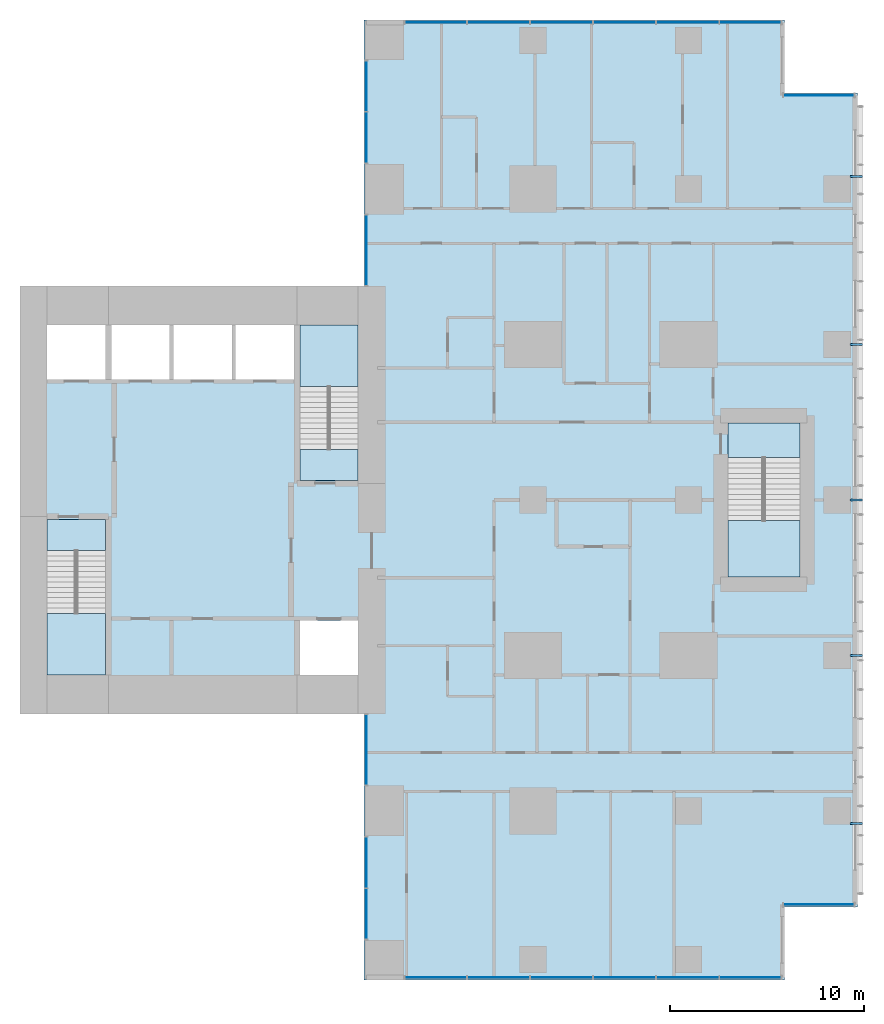
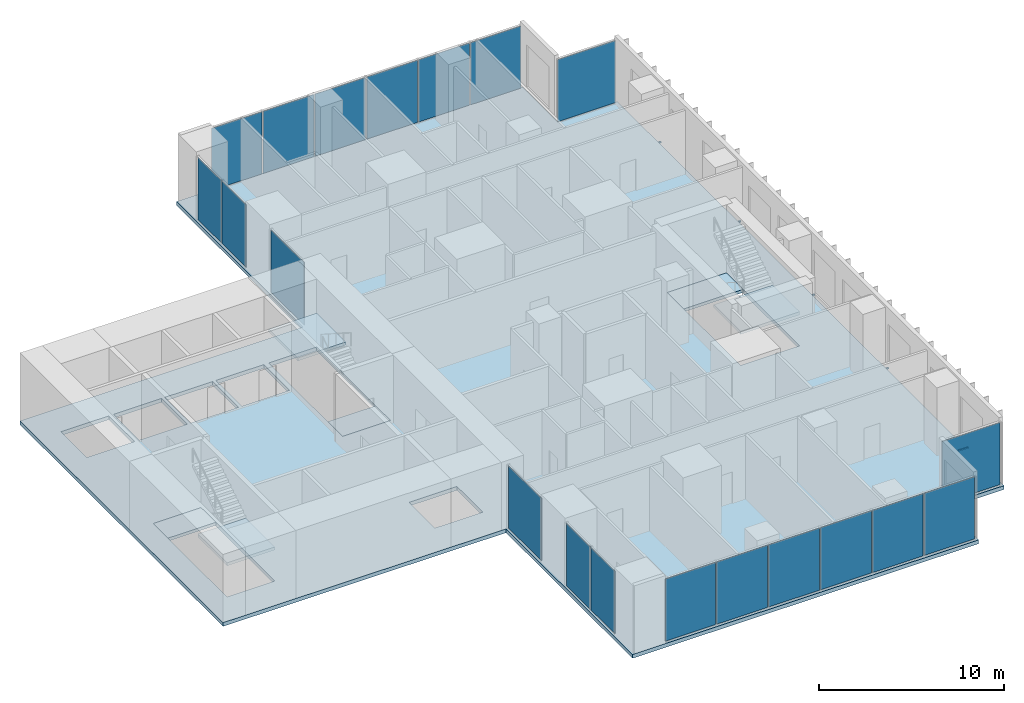
# One storey, part 4 of 12: 20 plates, 7 slabs, 5 members, 11 elements without a shape of their own.
"""IFC4 building model written with IfcOpenShell, lengths in metres."""

from ifc_helpers import new_model, si_unit, direction, frame, origin, origin_2d, place, context, subcontext, project, spatial, polyline, rectangle, hollow_rectangle, outline, extrude, material, layer, layer_set, material_profile, profile_set, type_object, element, aggregate, save


model = new_model("IFC4")

# Units and contexts
model_context = context("Model", 3, precision=1e-05, world=origin(), true_north=direction((0.0, 1.0)))
body_context = subcontext(model_context, "Body", "Model", "MODEL_VIEW")
ifc_project = project(units=[si_unit("LENGTHUNIT", "METRE"), si_unit("AREAUNIT", "SQUARE_METRE"), si_unit("VOLUMEUNIT", "CUBIC_METRE"), si_unit("PLANEANGLEUNIT", "RADIAN"), si_unit("MASSUNIT", "GRAM", prefix="KILO")], contexts=[model_context])

# Site, building, storey
site_placement = place(None, origin())
site = spatial("IfcSite", under=ifc_project, at=site_placement, CompositionType="ELEMENT")
building_placement = place(site_placement, origin())
building = spatial("IfcBuilding", under=site, at=building_placement, Name="Cleftline Residences", CompositionType="ELEMENT")
storey_placement = place(building_placement, frame((0.0, 0.0, 282.60009765625)))
storey = spatial("IfcBuildingStorey", under=building, at=storey_placement, Name="L74", CompositionType="ELEMENT", Elevation=282.60009765625)

# Members
ifc_material_1 = material(Name="Steel S355, hot-dip galvanised", Category="steel")
ifc_material_profile = material_profile(ifc_material_1, hollow_rectangle(XDim=0.10009765625, YDim=0.10009765625, WallThickness=0.008056640625, InnerFilletRadius=0.008056640625, OuterFilletRadius=0.011962890625, at=origin_2d()))
ifc_profile_set = profile_set([ifc_material_profile], Name="Steel S355, hot-dip galvanised")
member_type = type_object("IfcMemberType", Name="BAGUETTE BRACKET SHS 100X100X8", PredefinedType="USERDEFINED", material=ifc_profile_set)
for number, where, z_axis, x_axis, name in (
    (1, (66.300048828125, 7.35009765625, -0.150146484375), (1.0, 0.0, 0.0), (0.0, 1.0, 0.0), "Baguette bracket"),
    (2, (66.300048828125, 16.0, -0.150146484375), (1.0, 0.0, 0.0), (0.0, 1.0, 0.0), "Baguette bracket"),
    (3, (66.300048828125, 24.0, -0.150146484375), (1.0, 0.0, 0.0), (0.0, 1.0, 0.0), "Baguette bracket"),
    (4, (66.300048828125, 32.0, -0.150146484375), (1.0, 0.0, 0.0), (0.0, 1.0, 0.0), "Baguette bracket"),
    (5, (66.300048828125, 40.64990234375, -0.150146484375), (1.0, 0.0, 0.0), (0.0, 1.0, 0.0), "Baguette bracket"),
):
    element("IfcMember", number, at=place(storey_placement, frame(where, z_axis=z_axis, x_axis=x_axis)), inside=storey, type_object=member_type, Name=name, ObjectType="BAGUETTE BRACKET", PredefinedType="USERDEFINED", context=body_context, shape_type="SweptSolid", body=[
        extrude(hollow_rectangle(XDim=0.10009765625, YDim=0.10009765625, WallThickness=0.008056640625, InnerFilletRadius=0.008056640625, OuterFilletRadius=0.011962890625, at=origin_2d()), origin(), (0.0, 0.0, 1.0), 0.64990234375),
    ])

# Curtain wall, plate
ifc_material_2 = material(Name="Aluminium framed curtain wall", Category="aluminium")
ifc_layer_1 = layer(ifc_material_2, 0.199951171875)
ifc_layer_set_1 = layer_set([ifc_layer_1], Name="CW1 CLEFT GLAZING")
curtain_wall_type_1 = type_object("IfcCurtainWallType", Name="CW1 CLEFT GLAZING", PredefinedType="NOTDEFINED", material=ifc_layer_set_1)
curtain_wall_1_placement = place(storey_placement, origin())
curtain_wall_1 = element("IfcCurtainWall", 6, at=curtain_wall_1_placement, inside=storey, type_object=curtain_wall_type_1, Name="Curtain wall CW1", PredefinedType="NOTDEFINED")
ifc_material_3 = material(Name="Laminated clear glass", Category="glass")
ifc_layer_2 = layer(ifc_material_3, 0.028076171875)
ifc_layer_set_2 = layer_set([ifc_layer_2], Name="CW1 GLASS PANEL")
plate_type_1 = type_object("IfcPlateType", Name="CW1 GLASS PANEL", PredefinedType="CURTAIN_PANEL", material=ifc_layer_set_2)
plate_1_placement = place(storey_placement, frame((41.425048828125, 11.14990234375, 0.06005859375), z_axis=(0.0, 0.0, 1.0), x_axis=(0.0, -1.0, 0.0)))
plate_1 = element("IfcPlate", 7, at=plate_1_placement, type_object=plate_type_1, Name="CW1 panel 1.1", PredefinedType="CURTAIN_PANEL", context=body_context, shape_type="SweptSolid", body=[
    extrude(rectangle(XDim=3.580078125, YDim=0.028076171875, at=origin_2d()), origin(), (0.0, 0.0, 1.0), 4.1298828125),
])
aggregate(curtain_wall_1, [plate_1])

# Curtain wall, plates
curtain_wall_2_placement = place(storey_placement, origin())
curtain_wall_2 = element("IfcCurtainWall", 8, at=curtain_wall_2_placement, inside=storey, type_object=curtain_wall_type_1, Name="Curtain wall CW1", PredefinedType="NOTDEFINED")
plate_2_placement = place(storey_placement, frame((41.425048828125, 5.347412109375, 0.06005859375), z_axis=(0.0, 0.0, 1.0), x_axis=(0.0, -1.0, 0.0)))
plate_2 = element("IfcPlate", 9, at=plate_2_placement, type_object=plate_type_1, Name="CW1 panel 1.1", PredefinedType="CURTAIN_PANEL", context=body_context, shape_type="SweptSolid", body=[
    extrude(rectangle(XDim=2.5849609375, YDim=0.028076171875, at=origin_2d()), origin(), (0.0, 0.0, 1.0), 4.1298828125),
])
plate_3_placement = place(storey_placement, frame((41.425048828125, 2.702392578125, 0.06005859375), z_axis=(0.0, 0.0, 1.0), x_axis=(0.0, -1.0, 0.0)))
plate_3 = element("IfcPlate", 10, at=plate_3_placement, type_object=plate_type_1, Name="CW1 panel 2.1", PredefinedType="CURTAIN_PANEL", context=body_context, shape_type="SweptSolid", body=[
    extrude(rectangle(XDim=2.5849609375, YDim=0.028076171875, at=origin_2d()), origin(), (0.0, 0.0, 1.0), 4.1298828125),
])
aggregate(curtain_wall_2, [plate_2, plate_3])

curtain_wall_3_placement = place(storey_placement, origin())
curtain_wall_3 = element("IfcCurtainWall", 11, at=curtain_wall_3_placement, inside=storey, type_object=curtain_wall_type_1, Name="Curtain wall CW1", PredefinedType="NOTDEFINED")
plate_4_placement = place(storey_placement, frame((41.425048828125, 45.297607421875, 0.06005859375), z_axis=(0.0, 0.0, 1.0), x_axis=(0.0, -1.0, 0.0)))
plate_4 = element("IfcPlate", 12, at=plate_4_placement, type_object=plate_type_1, Name="CW1 panel 1.1", PredefinedType="CURTAIN_PANEL", context=body_context, shape_type="SweptSolid", body=[
    extrude(rectangle(XDim=2.5849609375, YDim=0.028076171875, at=origin_2d()), origin(), (0.0, 0.0, 1.0), 4.1298828125),
])
plate_5_placement = place(storey_placement, frame((41.425048828125, 42.652587890625, 0.06005859375), z_axis=(0.0, 0.0, 1.0), x_axis=(0.0, -1.0, 0.0)))
plate_5 = element("IfcPlate", 13, at=plate_5_placement, type_object=plate_type_1, Name="CW1 panel 2.1", PredefinedType="CURTAIN_PANEL", context=body_context, shape_type="SweptSolid", body=[
    extrude(rectangle(XDim=2.5849609375, YDim=0.028076171875, at=origin_2d()), origin(), (0.0, 0.0, 1.0), 4.1298828125),
])
aggregate(curtain_wall_3, [plate_4, plate_5])

# Curtain wall, plate
curtain_wall_4_placement = place(storey_placement, origin())
curtain_wall_4 = element("IfcCurtainWall", 14, at=curtain_wall_4_placement, inside=storey, type_object=curtain_wall_type_1, Name="Curtain wall CW1", PredefinedType="NOTDEFINED")
plate_6_placement = place(storey_placement, frame((41.425048828125, 36.85009765625, 0.06005859375), z_axis=(0.0, 0.0, 1.0), x_axis=(0.0, -1.0, 0.0)))
plate_6 = element("IfcPlate", 15, at=plate_6_placement, type_object=plate_type_1, Name="CW1 panel 1.1", PredefinedType="CURTAIN_PANEL", context=body_context, shape_type="SweptSolid", body=[
    extrude(rectangle(XDim=3.580078125, YDim=0.028076171875, at=origin_2d()), origin(), (0.0, 0.0, 1.0), 4.1298828125),
])
aggregate(curtain_wall_4, [plate_6])

# Curtain wall, plates
ifc_material_4 = material(Name="Aluminium framed curtain wall", Category="aluminium")
ifc_layer_3 = layer(ifc_material_4, 0.199951171875)
ifc_layer_set_3 = layer_set([ifc_layer_3], Name="CW5 PENTHOUSE GLAZING")
curtain_wall_type_2 = type_object("IfcCurtainWallType", Name="CW5 PENTHOUSE GLAZING", PredefinedType="NOTDEFINED", material=ifc_layer_set_3)
curtain_wall_5_placement = place(storey_placement, origin())
curtain_wall_5 = element("IfcCurtainWall", 16, at=curtain_wall_5_placement, inside=storey, type_object=curtain_wall_type_2, Name="Curtain wall CW5", PredefinedType="NOTDEFINED")
ifc_material_5 = material(Name="Laminated clear glass", Category="glass")
ifc_layer_4 = layer(ifc_material_5, 0.028076171875)
ifc_layer_set_4 = layer_set([ifc_layer_4], Name="CW5 GLASS PANEL")
plate_type_2 = type_object("IfcPlateType", Name="CW5 GLASS PANEL", PredefinedType="CURTAIN_PANEL", material=ifc_layer_set_4)
plate_7_placement = place(storey_placement, frame((44.990478515625, -0.574951171875, 0.06982421875), z_axis=(0.0, 0.0, 1.0), x_axis=(1.0, 0.0, 0.0)))
plate_7 = element("IfcPlate", 17, at=plate_7_placement, type_object=plate_type_2, Name="CW5 panel 1.1", PredefinedType="CURTAIN_PANEL", context=body_context, shape_type="SweptSolid", body=[
    extrude(rectangle(XDim=3.140869140625, YDim=0.028076171875, at=origin_2d()), origin(), (0.0, 0.0, 1.0), 4.110107421875),
])
plate_8_placement = place(storey_placement, frame((48.21875, -0.574951171875, 0.06982421875), z_axis=(0.0, 0.0, 1.0), x_axis=(1.0, 0.0, 0.0)))
plate_8 = element("IfcPlate", 18, at=plate_8_placement, type_object=plate_type_2, Name="CW5 panel 2.1", PredefinedType="CURTAIN_PANEL", context=body_context, shape_type="SweptSolid", body=[
    extrude(rectangle(XDim=3.17578125, YDim=0.028076171875, at=origin_2d()), origin(), (0.0, 0.0, 1.0), 4.110107421875),
])
plate_9_placement = place(storey_placement, frame((51.464599609375, -0.574951171875, 0.06982421875), z_axis=(0.0, 0.0, 1.0), x_axis=(1.0, 0.0, 0.0)))
plate_9 = element("IfcPlate", 19, at=plate_9_placement, type_object=plate_type_2, Name="CW5 panel 3.1", PredefinedType="CURTAIN_PANEL", context=body_context, shape_type="SweptSolid", body=[
    extrude(rectangle(XDim=3.17578125, YDim=0.028076171875, at=origin_2d()), origin(), (0.0, 0.0, 1.0), 4.110107421875),
])
plate_10_placement = place(storey_placement, frame((54.71044921875, -0.574951171875, 0.06982421875), z_axis=(0.0, 0.0, 1.0), x_axis=(1.0, 0.0, 0.0)))
plate_10 = element("IfcPlate", 20, at=plate_10_placement, type_object=plate_type_2, Name="CW5 panel 4.1", PredefinedType="CURTAIN_PANEL", context=body_context, shape_type="SweptSolid", body=[
    extrude(rectangle(XDim=3.17578125, YDim=0.028076171875, at=origin_2d()), origin(), (0.0, 0.0, 1.0), 4.110107421875),
])
plate_11_placement = place(storey_placement, frame((57.956298828125, -0.574951171875, 0.06982421875), z_axis=(0.0, 0.0, 1.0), x_axis=(1.0, 0.0, 0.0)))
plate_11 = element("IfcPlate", 21, at=plate_11_placement, type_object=plate_type_2, Name="CW5 panel 5.1", PredefinedType="CURTAIN_PANEL", context=body_context, shape_type="SweptSolid", body=[
    extrude(rectangle(XDim=3.17578125, YDim=0.028076171875, at=origin_2d()), origin(), (0.0, 0.0, 1.0), 4.110107421875),
])
plate_12_placement = place(storey_placement, frame((61.1845703125, -0.574951171875, 0.06982421875), z_axis=(0.0, 0.0, 1.0), x_axis=(1.0, 0.0, 0.0)))
plate_12 = element("IfcPlate", 22, at=plate_12_placement, type_object=plate_type_2, Name="CW5 panel 6.1", PredefinedType="CURTAIN_PANEL", context=body_context, shape_type="SweptSolid", body=[
    extrude(rectangle(XDim=3.140869140625, YDim=0.028076171875, at=origin_2d()), origin(), (0.0, 0.0, 1.0), 4.110107421875),
])
aggregate(curtain_wall_5, [plate_7, plate_8, plate_9, plate_10, plate_11, plate_12])

# Curtain wall, plate
curtain_wall_6_placement = place(storey_placement, origin())
curtain_wall_6 = element("IfcCurtainWall", 23, at=curtain_wall_6_placement, inside=storey, type_object=curtain_wall_type_2, Name="Curtain wall CW5", PredefinedType="NOTDEFINED")
plate_13_placement = place(storey_placement, frame((64.699951171875, 3.175048828125, 0.06982421875), z_axis=(0.0, 0.0, 1.0), x_axis=(1.0, 0.0, 0.0)))
plate_13 = element("IfcPlate", 24, at=plate_13_placement, type_object=plate_type_2, Name="CW5 panel 1.1", PredefinedType="CURTAIN_PANEL", context=body_context, shape_type="SweptSolid", body=[
    extrude(rectangle(XDim=3.610107421875, YDim=0.028076171875, at=origin_2d()), origin(), (0.0, 0.0, 1.0), 4.110107421875),
])
aggregate(curtain_wall_6, [plate_13])

curtain_wall_7_placement = place(storey_placement, origin())
curtain_wall_7 = element("IfcCurtainWall", 25, at=curtain_wall_7_placement, inside=storey, type_object=curtain_wall_type_2, Name="Curtain wall CW5", PredefinedType="NOTDEFINED")
plate_14_placement = place(storey_placement, frame((64.699951171875, 44.824951171875, 0.06982421875), z_axis=(0.0, 0.0, 1.0), x_axis=(-1.0, 0.0, 0.0)))
plate_14 = element("IfcPlate", 26, at=plate_14_placement, type_object=plate_type_2, Name="CW5 panel 1.1", PredefinedType="CURTAIN_PANEL", context=body_context, shape_type="SweptSolid", body=[
    extrude(rectangle(XDim=3.610107421875, YDim=0.028076171875, at=origin_2d()), origin(), (0.0, 0.0, 1.0), 4.110107421875),
])
aggregate(curtain_wall_7, [plate_14])

# Curtain wall, plates
curtain_wall_8_placement = place(storey_placement, origin())
curtain_wall_8 = element("IfcCurtainWall", 27, at=curtain_wall_8_placement, inside=storey, type_object=curtain_wall_type_2, Name="Curtain wall CW5", PredefinedType="NOTDEFINED")
plate_15_placement = place(storey_placement, frame((61.1845703125, 48.574951171875, 0.06982421875), z_axis=(0.0, 0.0, 1.0), x_axis=(-1.0, 0.0, 0.0)))
plate_15 = element("IfcPlate", 28, at=plate_15_placement, type_object=plate_type_2, Name="CW5 panel 1.1", PredefinedType="CURTAIN_PANEL", context=body_context, shape_type="SweptSolid", body=[
    extrude(rectangle(XDim=3.140869140625, YDim=0.028076171875, at=origin_2d()), origin(), (0.0, 0.0, 1.0), 4.110107421875),
])
plate_16_placement = place(storey_placement, frame((57.956298828125, 48.574951171875, 0.06982421875), z_axis=(0.0, 0.0, 1.0), x_axis=(-1.0, 0.0, 0.0)))
plate_16 = element("IfcPlate", 29, at=plate_16_placement, type_object=plate_type_2, Name="CW5 panel 2.1", PredefinedType="CURTAIN_PANEL", context=body_context, shape_type="SweptSolid", body=[
    extrude(rectangle(XDim=3.17578125, YDim=0.028076171875, at=origin_2d()), origin(), (0.0, 0.0, 1.0), 4.110107421875),
])
plate_17_placement = place(storey_placement, frame((54.71044921875, 48.574951171875, 0.06982421875), z_axis=(0.0, 0.0, 1.0), x_axis=(-1.0, 0.0, 0.0)))
plate_17 = element("IfcPlate", 30, at=plate_17_placement, type_object=plate_type_2, Name="CW5 panel 3.1", PredefinedType="CURTAIN_PANEL", context=body_context, shape_type="SweptSolid", body=[
    extrude(rectangle(XDim=3.17578125, YDim=0.028076171875, at=origin_2d()), origin(), (0.0, 0.0, 1.0), 4.110107421875),
])
plate_18_placement = place(storey_placement, frame((51.464599609375, 48.574951171875, 0.06982421875), z_axis=(0.0, 0.0, 1.0), x_axis=(-1.0, 0.0, 0.0)))
plate_18 = element("IfcPlate", 31, at=plate_18_placement, type_object=plate_type_2, Name="CW5 panel 4.1", PredefinedType="CURTAIN_PANEL", context=body_context, shape_type="SweptSolid", body=[
    extrude(rectangle(XDim=3.17578125, YDim=0.028076171875, at=origin_2d()), origin(), (0.0, 0.0, 1.0), 4.110107421875),
])
plate_19_placement = place(storey_placement, frame((48.21875, 48.574951171875, 0.06982421875), z_axis=(0.0, 0.0, 1.0), x_axis=(-1.0, 0.0, 0.0)))
plate_19 = element("IfcPlate", 32, at=plate_19_placement, type_object=plate_type_2, Name="CW5 panel 5.1", PredefinedType="CURTAIN_PANEL", context=body_context, shape_type="SweptSolid", body=[
    extrude(rectangle(XDim=3.17578125, YDim=0.028076171875, at=origin_2d()), origin(), (0.0, 0.0, 1.0), 4.110107421875),
])
plate_20_placement = place(storey_placement, frame((44.990478515625, 48.574951171875, 0.06982421875), z_axis=(0.0, 0.0, 1.0), x_axis=(-1.0, 0.0, 0.0)))
plate_20 = element("IfcPlate", 33, at=plate_20_placement, type_object=plate_type_2, Name="CW5 panel 6.1", PredefinedType="CURTAIN_PANEL", context=body_context, shape_type="SweptSolid", body=[
    extrude(rectangle(XDim=3.140869140625, YDim=0.028076171875, at=origin_2d()), origin(), (0.0, 0.0, 1.0), 4.110107421875),
])
aggregate(curtain_wall_8, [plate_15, plate_16, plate_17, plate_18, plate_19, plate_20])

# Slab
ifc_material_6 = material(Name="Concrete B45", Category="concrete")
ifc_layer_5 = layer(ifc_material_6, 0.25)
ifc_layer_set_5 = layer_set([ifc_layer_5], Name="FLOOR SLAB 250")
slab_type_1 = type_object("IfcSlabType", Name="FLOOR SLAB 250", PredefinedType="FLOOR", material=ifc_layer_set_5)
slab_1_placement = place(storey_placement, frame((0.0, 0.0, -0.25)))
element("IfcSlab", 34, at=slab_1_placement, inside=storey, type_object=slab_type_1, Name="Floor slab L74", PredefinedType="FLOOR", context=body_context, shape_type="SweptSolid", body=[
    extrude(outline(polyline([(41.300048828125, 13.0), (41.300048828125, -0.699951171875), (62.949951171875, -0.699951171875), (62.949951171875, 3.050048828125), (66.699951171875, 3.050048828125), (66.699951171875, 44.949951171875), (62.949951171875, 44.949951171875), (62.949951171875, 48.699951171875), (41.300048828125, 48.699951171875), (41.300048828125, 35.0), (23.60009765625, 35.0), (23.60009765625, 13.0), (41.300048828125, 13.0)]), holes=[polyline([(28.0, 15.0), (28.0, 23.0), (25.0, 23.0), (25.0, 15.0), (28.0, 15.0)]), polyline([(41.0, 25.0), (41.0, 33.0), (38.0, 33.0), (38.0, 25.0), (41.0, 25.0)]), polyline([(28.0, 30.199951171875), (28.0, 33.0), (25.0, 33.0), (25.0, 30.199951171875), (28.0, 30.199951171875)]), polyline([(41.0, 15.0), (41.0, 17.800048828125), (38.0, 17.800048828125), (38.0, 15.0), (41.0, 15.0)]), polyline([(31.300048828125, 30.199951171875), (31.300048828125, 33.0), (28.300048828125, 33.0), (28.300048828125, 30.199951171875), (31.300048828125, 30.199951171875)]), polyline([(34.5, 30.199951171875), (34.5, 33.0), (31.5, 33.0), (31.5, 30.199951171875), (34.5, 30.199951171875)]), polyline([(37.699951171875, 30.199951171875), (37.699951171875, 33.0), (34.699951171875, 33.0), (34.699951171875, 30.199951171875), (37.699951171875, 30.199951171875)]), polyline([(63.72509765625, 20.02490234375), (63.72509765625, 27.97509765625), (60.02490234375, 27.97509765625), (60.02490234375, 20.02490234375), (63.72509765625, 20.02490234375)])]), origin(), (0.0, 0.0, 1.0), 0.25),
])

# Stair, slabs
ifc_material_7 = material(Name="Concrete B45, stone treads", Category="masonry")
stair_type_1 = type_object("IfcStairType", Name="STAIR A 1450 WIDE 173 RISER", PredefinedType="HALF_TURN_STAIR", material=ifc_material_7)
stair_1_placement = place(storey_placement, origin())
stair_1 = element("IfcStair", 35, at=stair_1_placement, inside=storey, type_object=stair_type_1, Name="Stair A L74", PredefinedType="HALF_TURN_STAIR")
ifc_material_8 = material(Name="Concrete B45", Category="concrete")
ifc_layer_6 = layer(ifc_material_8, 0.199951171875)
ifc_layer_set_6 = layer_set([ifc_layer_6], Name="STAIR LANDING 200")
slab_type_2 = type_object("IfcSlabType", Name="STAIR LANDING 200", PredefinedType="LANDING", material=ifc_layer_set_6)
slab_2_placement = place(storey_placement, frame((0.0, 0.0, -0.2001953125)))
slab_2 = element("IfcSlab", 36, at=slab_2_placement, type_object=slab_type_2, Name="ST-A landing 1", PredefinedType="LANDING", context=body_context, shape_type="SweptSolid", body=[
    extrude(outline(polyline([(25.0, 21.39990234375), (28.0, 21.39990234375), (28.0, 23.0), (25.0, 23.0), (25.0, 21.39990234375)])), origin(), (0.0, 0.0, 1.0), 0.2001953125),
])
slab_3_placement = place(storey_placement, frame((0.0, 0.0, 2.0498046875)))
slab_3 = element("IfcSlab", 37, at=slab_3_placement, type_object=slab_type_2, Name="ST-A landing 2", PredefinedType="LANDING", context=body_context, shape_type="SweptSolid", body=[
    extrude(outline(polyline([(25.0, 15.0), (28.0, 15.0), (28.0, 18.159912109375), (25.0, 18.159912109375), (25.0, 15.0)])), origin(), (0.0, 0.0, 1.0), 0.2001953125),
])
aggregate(stair_1, [slab_2, slab_3])

ifc_material_9 = material(Name="Concrete B45, stone treads", Category="masonry")
stair_type_2 = type_object("IfcStairType", Name="STAIR B 1450 WIDE 173 RISER", PredefinedType="HALF_TURN_STAIR", material=ifc_material_9)
stair_2_placement = place(storey_placement, origin())
stair_2 = element("IfcStair", 38, at=stair_2_placement, inside=storey, type_object=stair_type_2, Name="Stair B L74", PredefinedType="HALF_TURN_STAIR")
slab_4_placement = place(storey_placement, frame((0.0, 0.0, -0.2001953125)))
slab_4 = element("IfcSlab", 39, at=slab_4_placement, type_object=slab_type_2, Name="ST-B landing 1", PredefinedType="LANDING", context=body_context, shape_type="SweptSolid", body=[
    extrude(outline(polyline([(38.0, 25.0), (41.0, 25.0), (41.0, 26.60009765625), (38.0, 26.60009765625), (38.0, 25.0)])), origin(), (0.0, 0.0, 1.0), 0.2001953125),
])
slab_5_placement = place(storey_placement, frame((0.0, 0.0, 2.0498046875)))
slab_5 = element("IfcSlab", 40, at=slab_5_placement, type_object=slab_type_2, Name="ST-B landing 2", PredefinedType="LANDING", context=body_context, shape_type="SweptSolid", body=[
    extrude(outline(polyline([(38.0, 29.840087890625), (41.0, 29.840087890625), (41.0, 33.0), (38.0, 33.0), (38.0, 29.840087890625)])), origin(), (0.0, 0.0, 1.0), 0.2001953125),
])
aggregate(stair_2, [slab_4, slab_5])

ifc_material_10 = material(Name="Concrete B45, stone treads", Category="masonry")
stair_type_3 = type_object("IfcStairType", Name="STAIR E 1800 WIDE 173 RISER", PredefinedType="HALF_TURN_STAIR", material=ifc_material_10)
stair_3_placement = place(storey_placement, origin())
stair_3 = element("IfcStair", 41, at=stair_3_placement, inside=storey, type_object=stair_type_3, Name="Stair E L74", PredefinedType="HALF_TURN_STAIR")
slab_6_placement = place(storey_placement, frame((0.0, 0.0, -0.2001953125)))
slab_6 = element("IfcSlab", 42, at=slab_6_placement, type_object=slab_type_2, Name="ST-E landing 1", PredefinedType="LANDING", context=body_context, shape_type="SweptSolid", body=[
    extrude(outline(polyline([(60.02490234375, 26.175048828125), (63.72509765625, 26.175048828125), (63.72509765625, 27.97509765625), (60.02490234375, 27.97509765625), (60.02490234375, 26.175048828125)])), origin(), (0.0, 0.0, 1.0), 0.2001953125),
])
slab_7_placement = place(storey_placement, frame((0.0, 0.0, 2.0498046875)))
slab_7 = element("IfcSlab", 43, at=slab_7_placement, type_object=slab_type_2, Name="ST-E landing 2", PredefinedType="LANDING", context=body_context, shape_type="SweptSolid", body=[
    extrude(outline(polyline([(60.02490234375, 20.02490234375), (63.72509765625, 20.02490234375), (63.72509765625, 22.93505859375), (60.02490234375, 22.93505859375), (60.02490234375, 20.02490234375)])), origin(), (0.0, 0.0, 1.0), 0.2001953125),
])
aggregate(stair_3, [slab_6, slab_7])

save(model, "model.ifc")
